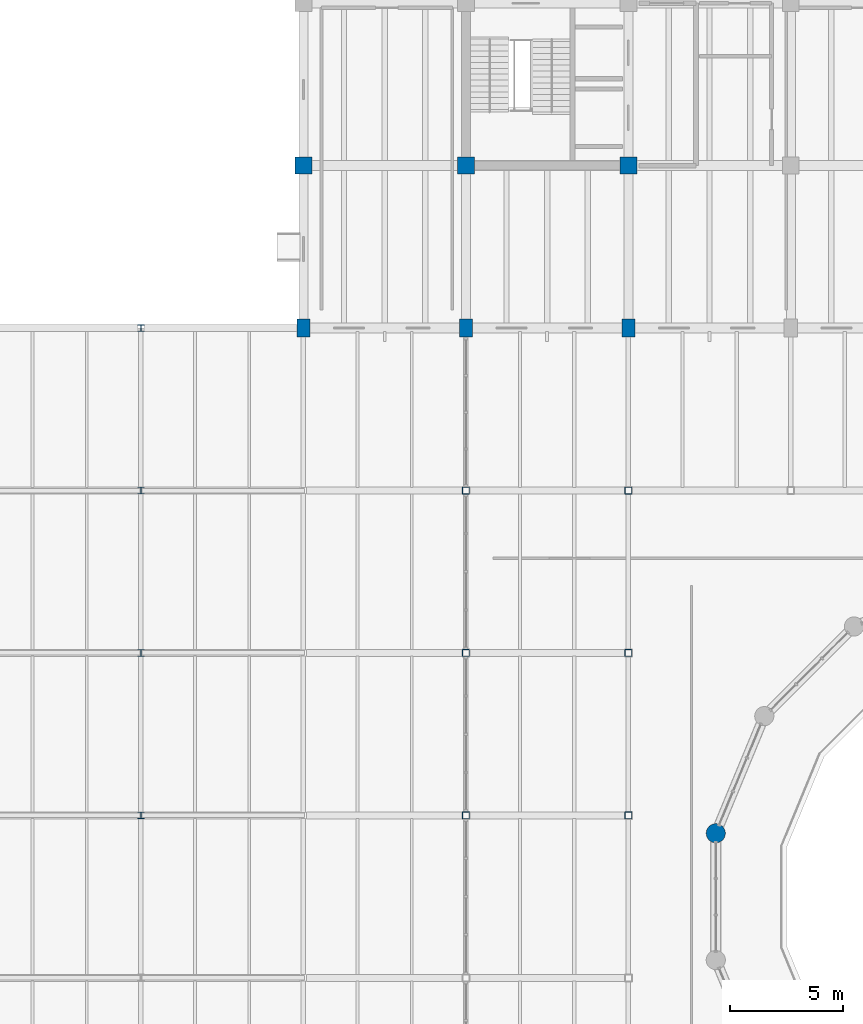
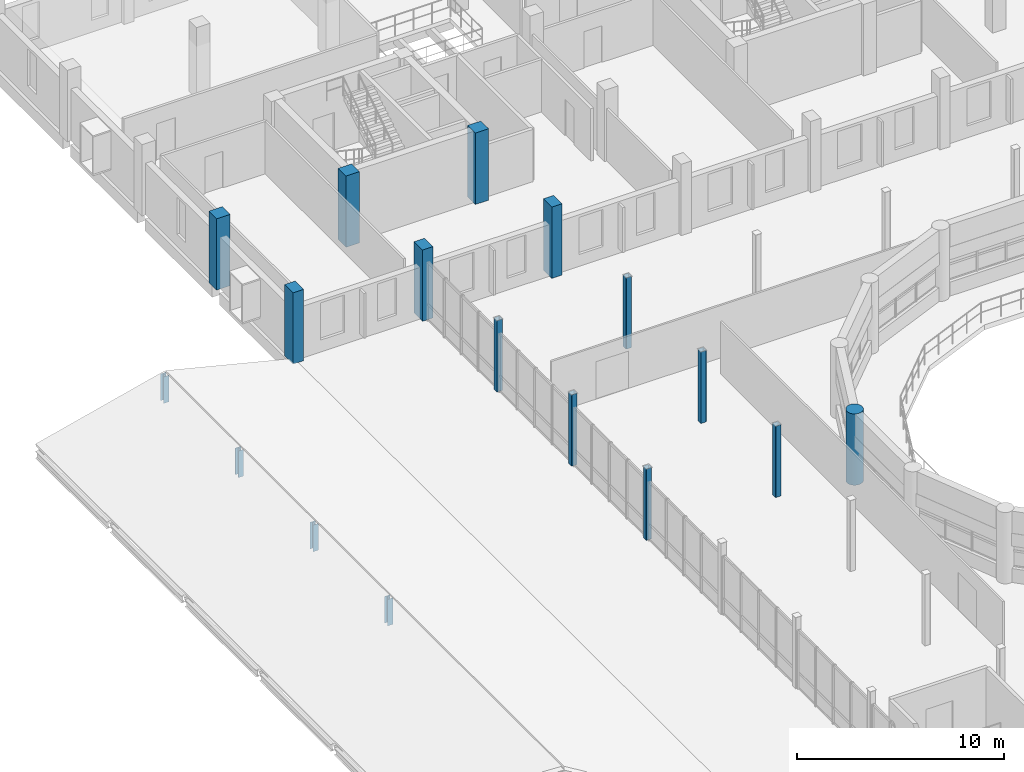
# One storey, part 7 of 63: 17 columns.
"""IFC4 building model written with IfcOpenShell, lengths in metres."""

from ifc_helpers import new_model, si_unit, direction, frame, origin, origin_2d, place, context, subcontext, project, spatial, rectangle, hollow_rectangle, circle, i_section, extrude, material, material_profile, profile_set, type_object, element, save


model = new_model("IFC4")

# Units and contexts
model_context = context("Model", 3, precision=1e-05, world=origin(), true_north=direction((0.0, 1.0)))
body_context = subcontext(model_context, "Body", "Model", "MODEL_VIEW")
ifc_project = project(units=[si_unit("LENGTHUNIT", "METRE"), si_unit("AREAUNIT", "SQUARE_METRE"), si_unit("VOLUMEUNIT", "CUBIC_METRE"), si_unit("PLANEANGLEUNIT", "RADIAN"), si_unit("MASSUNIT", "GRAM", prefix="KILO")], contexts=[model_context])

# Site, building, storey
site_placement = place(None, origin())
site = spatial("IfcSite", under=ifc_project, at=site_placement, CompositionType="ELEMENT")
building_placement = place(site_placement, origin())
building = spatial("IfcBuilding", under=site, at=building_placement, Name="Qiaolan Assembly House", CompositionType="ELEMENT")
storey_placement = place(building_placement, frame((0.0, 0.0, 14.39990234375)))
storey = spatial("IfcBuildingStorey", under=building, at=storey_placement, Name="L03", CompositionType="ELEMENT", Elevation=14.39990234375)

# Columns
ifc_material_1 = material(Name="Concrete C45/55", Category="concrete")
ifc_material_profile_1 = material_profile(ifc_material_1, circle(Radius=0.425048828125, at=origin_2d()), Name="CIRC D850")
ifc_profile_set_1 = profile_set([ifc_material_profile_1], Name="Concrete C45/55")
column_type_1 = type_object("IfcColumnType", Name="COL-DRUM-D850", PredefinedType="COLUMN", material=ifc_profile_set_1)
column_placement = place(storey_placement, frame((54.276611328125, 64.00927734375, 0.0), z_axis=(0.0, 0.0, 1.0), x_axis=(1.0, 0.0, 0.0)))
element("IfcColumn", 1, at=column_placement, inside=storey, type_object=column_type_1, Name="DC-02 chamber drum pier 8 L03", PredefinedType="COLUMN", context=body_context, shape_type="SweptSolid", body=[
    extrude(circle(Radius=0.425048828125, at=origin_2d()), origin(), (0.0, 0.0, 1.0), 4.2001953125),
])
ifc_material_profile_2 = material_profile(ifc_material_1, rectangle(XDim=0.75, YDim=0.75, at=origin_2d()), Name="RC 750x750")
ifc_profile_set_2 = profile_set([ifc_material_profile_2], Name="Concrete C45/55")
column_type_2 = type_object("IfcColumnType", Name="COL-RC-750", PredefinedType="COLUMN", material=ifc_profile_set_2)
for number, where, z_axis, x_axis, name in (
    (2, (36.0, 93.60009765625, 0.0), (0.0, 0.0, 1.0), (1.0, 0.0, 0.0), "RC-06 column NW L03"),
    (3, (43.199951171875, 93.60009765625, 0.0), (0.0, 0.0, 1.0), (1.0, 0.0, 0.0), "RC-06 column NW L03"),
    (4, (50.39990234375, 93.60009765625, 0.0), (0.0, 0.0, 1.0), (1.0, 0.0, 0.0), "RC-06 column NW L03"),
):
    element("IfcColumn", number, at=place(storey_placement, frame(where, z_axis=z_axis, x_axis=x_axis)), inside=storey, type_object=column_type_2, Name=name, PredefinedType="COLUMN", context=body_context, shape_type="SweptSolid", body=[
        extrude(rectangle(XDim=0.75, YDim=0.75, at=origin_2d()), origin(), (0.0, 0.0, 1.0), 4.2001953125),
    ])
ifc_material_profile_3 = material_profile(ifc_material_1, rectangle(XDim=0.580078125, YDim=0.81005859375, at=origin_2d()), Name="RC 810x580")
ifc_profile_set_3 = profile_set([ifc_material_profile_3], Name="Concrete C45/55")
column_type_3 = type_object("IfcColumnType", Name="COL-RC-810x580", PredefinedType="COLUMN", material=ifc_profile_set_3)
for number, where, z_axis, x_axis, name in (
    (5, (36.0, 86.39990234375, 0.0), (0.0, 0.0, 1.0), (1.0, 0.0, 0.0), "RC-18 column NW L03"),
    (6, (43.199951171875, 86.39990234375, 0.0), (0.0, 0.0, 1.0), (1.0, 0.0, 0.0), "RC-18 column NW L03"),
    (7, (50.39990234375, 86.39990234375, 0.0), (0.0, 0.0, 1.0), (1.0, 0.0, 0.0), "RC-18 column NW L03"),
):
    element("IfcColumn", number, at=place(storey_placement, frame(where, z_axis=z_axis, x_axis=x_axis)), inside=storey, type_object=column_type_3, Name=name, PredefinedType="COLUMN", context=body_context, shape_type="SweptSolid", body=[
        extrude(rectangle(XDim=0.580078125, YDim=0.81005859375, at=origin_2d()), origin(), (0.0, 0.0, 1.0), 4.2001953125),
    ])
ifc_material_2 = material(Name="Steel Q355B", Category="steel")
ifc_material_profile_4 = material_profile(ifc_material_2, i_section(OverallWidth=0.300048828125, OverallDepth=0.300048828125, WebThickness=0.010009765625, FlangeThickness=0.014892578125, FilletRadius=0.01806640625, at=origin_2d()), Name="HW 300x300x10x15")
ifc_profile_set_4 = profile_set([ifc_material_profile_4], Name="Steel Q355B")
column_type_4 = type_object("IfcColumnType", Name="COL-STL-HW300", PredefinedType="COLUMN", material=ifc_profile_set_4)
for number, where, z_axis, x_axis, name in (
    (8, (28.800048828125, 64.800048828125, 0.0), (0.0, 0.0, 1.0), (1.0, 0.0, 0.0), "SC-08 hall skylight ridge post L03"),
    (9, (28.800048828125, 72.0, 0.0), (0.0, 0.0, 1.0), (1.0, 0.0, 0.0), "SC-08 hall skylight ridge post L03"),
    (10, (28.800048828125, 79.199951171875, 0.0), (0.0, 0.0, 1.0), (1.0, 0.0, 0.0), "SC-08 hall skylight ridge post L03"),
    (11, (28.800048828125, 86.39990234375, 0.0), (0.0, 0.0, 1.0), (1.0, 0.0, 0.0), "SC-08 hall skylight ridge post L03"),
):
    element("IfcColumn", number, at=place(storey_placement, frame(where, z_axis=z_axis, x_axis=x_axis)), inside=storey, type_object=column_type_4, Name=name, PredefinedType="COLUMN", context=body_context, shape_type="SweptSolid", body=[
        extrude(i_section(OverallWidth=0.300048828125, OverallDepth=0.300048828125, WebThickness=0.010009765625, FlangeThickness=0.014892578125, FilletRadius=0.01806640625, at=origin_2d()), origin(), (0.0, 0.0, 1.0), 1.565673828125),
    ])
ifc_material_profile_5 = material_profile(ifc_material_2, hollow_rectangle(XDim=0.31005859375, YDim=0.31005859375, WallThickness=0.011962890625, InnerFilletRadius=0.011962890625, OuterFilletRadius=0.02392578125, at=origin_2d()), Name="SHS 310x310x12")
ifc_profile_set_5 = profile_set([ifc_material_profile_5], Name="Steel Q355B")
column_type_5 = type_object("IfcColumnType", Name="COL-STL-SHS310", PredefinedType="COLUMN", material=ifc_profile_set_5)
for number, where, z_axis, x_axis, name in (
    (12, (43.199951171875, 64.800048828125, 0.0), (0.0, 0.0, 1.0), (1.0, 0.0, 0.0), "SC-10 L03 hall concourse column"),
    (13, (43.199951171875, 72.0, 0.0), (0.0, 0.0, 1.0), (1.0, 0.0, 0.0), "SC-10 L03 hall concourse column"),
    (14, (43.199951171875, 79.199951171875, 0.0), (0.0, 0.0, 1.0), (1.0, 0.0, 0.0), "SC-10 L03 hall concourse column"),
    (15, (50.39990234375, 64.800048828125, 0.0), (0.0, 0.0, 1.0), (1.0, 0.0, 0.0), "SC-10 L03 hall concourse column"),
    (16, (50.39990234375, 72.0, 0.0), (0.0, 0.0, 1.0), (1.0, 0.0, 0.0), "SC-10 L03 hall concourse column"),
    (17, (50.39990234375, 79.199951171875, 0.0), (0.0, 0.0, 1.0), (1.0, 0.0, 0.0), "SC-10 L03 hall concourse column"),
):
    element("IfcColumn", number, at=place(storey_placement, frame(where, z_axis=z_axis, x_axis=x_axis)), inside=storey, type_object=column_type_5, Name=name, PredefinedType="COLUMN", context=body_context, shape_type="SweptSolid", body=[
        extrude(hollow_rectangle(XDim=0.31005859375, YDim=0.31005859375, WallThickness=0.011962890625, InnerFilletRadius=0.011962890625, OuterFilletRadius=0.02392578125, at=origin_2d()), origin(), (0.0, 0.0, 1.0), 4.2001953125),
    ])

save(model, "model.ifc")
